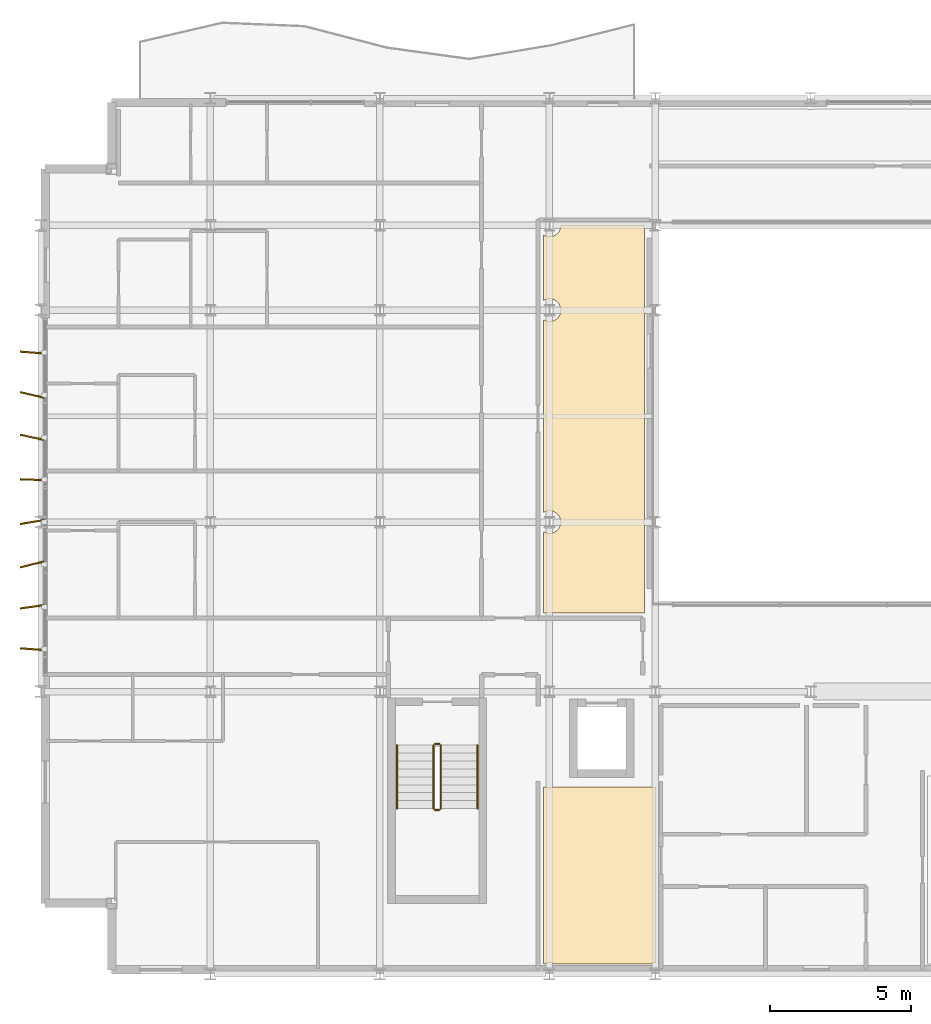
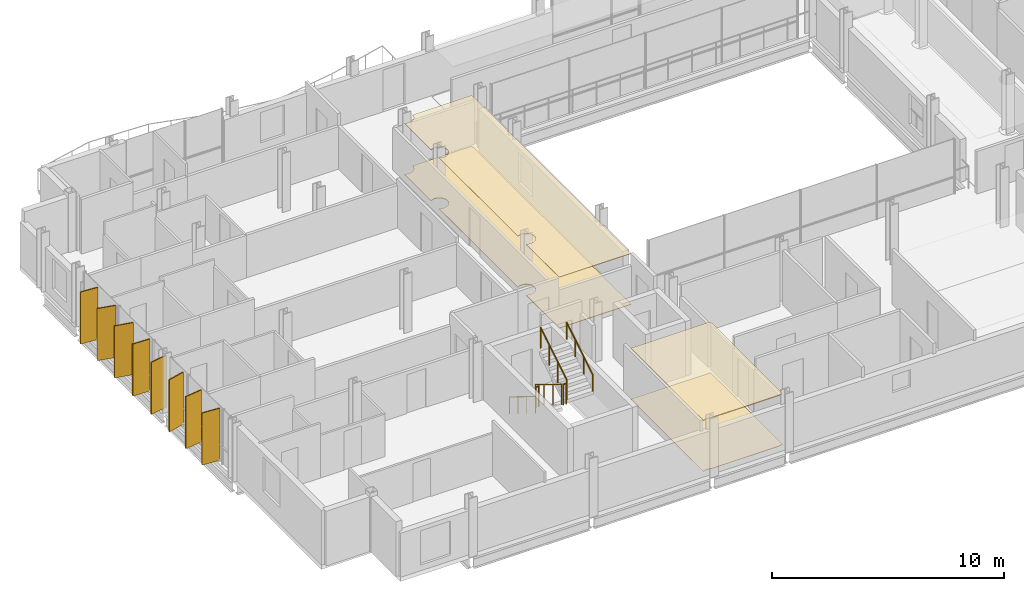
# One storey, part 37 of 40: 8 shading devices, 6 railings, 4 coverings.
"""IFC4 building model written with IfcOpenShell, lengths in metres."""

from ifc_helpers import new_model, si_unit, direction, frame, origin, origin_2d, place, context, subcontext, project, spatial, polyline, rectangle, circle, outline, extrude, material, layer, layer_set, type_object, element, save


model = new_model("IFC4")

# Units and contexts
model_context = context("Model", 3, precision=1e-05, world=origin(), true_north=direction((0.0, 1.0)))
body_context = subcontext(model_context, "Body", "Model", "MODEL_VIEW")
ifc_project = project(units=[si_unit("LENGTHUNIT", "METRE"), si_unit("AREAUNIT", "SQUARE_METRE"), si_unit("VOLUMEUNIT", "CUBIC_METRE"), si_unit("PLANEANGLEUNIT", "RADIAN"), si_unit("MASSUNIT", "GRAM", prefix="KILO")], contexts=[model_context])

# Site, building, storey
site_placement = place(None, origin())
site = spatial("IfcSite", under=ifc_project, at=site_placement, CompositionType="ELEMENT")
building_placement = place(site_placement, origin())
building = spatial("IfcBuilding", under=site, at=building_placement, Name="Brevholm Reach", CompositionType="ELEMENT")
storey_placement = place(building_placement, frame((0.0, 0.0, 148.0)))
storey = spatial("IfcBuildingStorey", under=building, at=storey_placement, Name="L44", CompositionType="ELEMENT", Elevation=148.0)

# Coverings
ifc_material_1 = material(Name="Perforated Mineral-Fibre Class-A Acoustic Suspended Ceiling", Category="gypsum")
ifc_layer_1 = layer(ifc_material_1, 0.044921875)
ifc_layer_set_1 = layer_set([ifc_layer_1], Name="Perforated Mineral-Fibre Class-A Acoustic Suspended Ceiling")
covering_type_1 = type_object("IfcCoveringType", Name="COV-CLG-AC", PredefinedType="CEILING", material=ifc_layer_set_1)
covering_1_placement = place(storey_placement, frame((0.0, 0.0, 2.6650390625)))
element("IfcCovering", 1, at=covering_1_placement, inside=storey, type_object=covering_type_1, Name="L44 Suspended Ceiling L44-23", PredefinedType="CEILING", context=body_context, shape_type="SweptSolid", body=[
    extrude(outline(polyline([(21.76611328125, 6.6201171875), (21.76611328125, 0.399169921875), (21.75, 0.39990234375), (21.710693359375, 0.398193359375), (21.672119140625, 0.392333984375), (21.6337890625, 0.3828125), (21.596923828125, 0.36962890625), (21.57666015625, 0.360107421875), (18.17333984375, 0.360107421875), (18.153076171875, 0.36962890625), (18.1162109375, 0.3828125), (18.077880859375, 0.392333984375), (18.039306640625, 0.398193359375), (18.0, 0.39990234375), (17.960693359375, 0.398193359375), (17.922119140625, 0.392333984375), (17.8837890625, 0.3828125), (17.846923828125, 0.36962890625), (17.82666015625, 0.360107421875), (17.783935546875, 0.360107421875), (17.783935546875, 6.6201171875), (21.76611328125, 6.6201171875)])), origin(), (0.0, 0.0, 1.0), 0.044921875),
])
ifc_material_2 = material(Name="Moisture-Resistant Skimmed Gypsum Plasterboard Ceiling", Category="gypsum")
ifc_layer_2 = layer(ifc_material_2, 0.030029296875)
ifc_layer_set_2 = layer_set([ifc_layer_2], Name="Moisture-Resistant Skimmed Gypsum Plasterboard Ceiling")
covering_type_2 = type_object("IfcCoveringType", Name="COV-CLG-GYP", PredefinedType="CEILING", material=ifc_layer_set_2)
covering_2_placement = place(storey_placement, frame((0.0, 0.0, 2.679931640625)))
element("IfcCovering", 2, at=covering_2_placement, inside=storey, type_object=covering_type_2, Name="L44 Suspended Ceiling L44-55", PredefinedType="CEILING", context=body_context, shape_type="SweptSolid", body=[
    extrude(outline(polyline([(21.3701171875, 23.623779296875), (21.3671875, 23.6162109375), (21.357666015625, 23.577880859375), (21.351806640625, 23.539306640625), (21.35009765625, 23.5), (21.351806640625, 23.460693359375), (21.357666015625, 23.422119140625), (21.3671875, 23.3837890625), (21.3701171875, 23.376220703125), (21.3701171875, 16.123779296875), (21.3671875, 16.1162109375), (21.357666015625, 16.077880859375), (21.351806640625, 16.039306640625), (21.35009765625, 16.0), (21.351806640625, 15.960693359375), (21.357666015625, 15.922119140625), (21.3671875, 15.8837890625), (21.3701171875, 15.876220703125), (21.3701171875, 12.783935546875), (17.783935546875, 12.783935546875), (17.783935546875, 15.663818359375), (17.811279296875, 15.647216796875), (17.846923828125, 15.63037109375), (17.8837890625, 15.6171875), (17.922119140625, 15.607666015625), (17.960693359375, 15.601806640625), (18.0, 15.60009765625), (18.039306640625, 15.601806640625), (18.077880859375, 15.607666015625), (18.1162109375, 15.6171875), (18.153076171875, 15.63037109375), (18.188720703125, 15.647216796875), (18.22216796875, 15.66748046875), (18.25390625, 15.69091796875), (18.28271484375, 15.71728515625), (18.30908203125, 15.74609375), (18.33251953125, 15.77783203125), (18.352783203125, 15.811279296875), (18.36962890625, 15.846923828125), (18.3828125, 15.8837890625), (18.392333984375, 15.922119140625), (18.398193359375, 15.960693359375), (18.39990234375, 16.0), (18.398193359375, 16.039306640625), (18.392333984375, 16.077880859375), (18.3828125, 16.1162109375), (18.36962890625, 16.153076171875), (18.352783203125, 16.188720703125), (18.33251953125, 16.22216796875), (18.30908203125, 16.25390625), (18.28271484375, 16.28271484375), (18.25390625, 16.30908203125), (18.22216796875, 16.33251953125), (18.188720703125, 16.352783203125), (18.153076171875, 16.36962890625), (18.1162109375, 16.3828125), (18.077880859375, 16.392333984375), (18.039306640625, 16.398193359375), (18.0, 16.39990234375), (17.960693359375, 16.398193359375), (17.922119140625, 16.392333984375), (17.8837890625, 16.3828125), (17.846923828125, 16.36962890625), (17.811279296875, 16.352783203125), (17.783935546875, 16.336181640625), (17.783935546875, 23.163818359375), (17.811279296875, 23.147216796875), (17.846923828125, 23.13037109375), (17.8837890625, 23.1171875), (17.922119140625, 23.107666015625), (17.960693359375, 23.101806640625), (18.0, 23.10009765625), (18.039306640625, 23.101806640625), (18.077880859375, 23.107666015625), (18.1162109375, 23.1171875), (18.153076171875, 23.13037109375), (18.188720703125, 23.147216796875), (18.22216796875, 23.16748046875), (18.25390625, 23.19091796875), (18.28271484375, 23.21728515625), (18.30908203125, 23.24609375), (18.33251953125, 23.27783203125), (18.352783203125, 23.311279296875), (18.36962890625, 23.346923828125), (18.3828125, 23.3837890625), (18.392333984375, 23.422119140625), (18.398193359375, 23.460693359375), (18.39990234375, 23.5), (18.398193359375, 23.539306640625), (18.392333984375, 23.577880859375), (18.3828125, 23.6162109375), (18.36962890625, 23.653076171875), (18.352783203125, 23.688720703125), (18.33251953125, 23.72216796875), (18.30908203125, 23.75390625), (18.28271484375, 23.78271484375), (18.25390625, 23.80908203125), (18.22216796875, 23.83251953125), (18.188720703125, 23.852783203125), (18.153076171875, 23.86962890625), (18.1162109375, 23.8828125), (18.077880859375, 23.892333984375), (18.039306640625, 23.898193359375), (18.0, 23.89990234375), (17.960693359375, 23.898193359375), (17.922119140625, 23.892333984375), (17.8837890625, 23.8828125), (17.846923828125, 23.86962890625), (17.811279296875, 23.852783203125), (17.783935546875, 23.836181640625), (17.783935546875, 26.163818359375), (17.811279296875, 26.147216796875), (17.846923828125, 26.13037109375), (17.8837890625, 26.1171875), (17.922119140625, 26.107666015625), (17.960693359375, 26.101806640625), (18.0, 26.10009765625), (18.039306640625, 26.101806640625), (18.077880859375, 26.107666015625), (18.1162109375, 26.1171875), (18.153076171875, 26.13037109375), (18.188720703125, 26.147216796875), (18.22216796875, 26.16748046875), (18.25390625, 26.19091796875), (18.28271484375, 26.21728515625), (18.30908203125, 26.24609375), (18.33251953125, 26.27783203125), (18.352783203125, 26.311279296875), (18.36962890625, 26.346923828125), (18.3828125, 26.3837890625), (18.392333984375, 26.422119140625), (18.398193359375, 26.460693359375), (18.39990234375, 26.5), (18.399169921875, 26.51611328125), (21.350830078125, 26.51611328125), (21.35009765625, 26.5), (21.351806640625, 26.460693359375), (21.357666015625, 26.422119140625), (21.3671875, 26.3837890625), (21.3701171875, 26.376220703125), (21.3701171875, 23.623779296875)])), origin(), (0.0, 0.0, 1.0), 0.030029296875),
])
ifc_material_3 = material(Name="Engineered European Oak Acoustic Plank Flooring", Category="timber")
ifc_layer_3 = layer(ifc_material_3, 0.02197265625)
ifc_layer_set_3 = layer_set([ifc_layer_3], Name="Engineered European Oak Acoustic Plank Flooring")
covering_type_3 = type_object("IfcCoveringType", Name="COV-FLR-OAK", PredefinedType="FLOORING", material=ifc_layer_set_3)
covering_3_placement = place(storey_placement, origin())
element("IfcCovering", 3, at=covering_3_placement, inside=storey, type_object=covering_type_3, Name="L44 Floor Finish L44-23", PredefinedType="FLOORING", context=body_context, shape_type="SweptSolid", body=[
    extrude(outline(polyline([(21.76611328125, 6.6201171875), (21.76611328125, 0.399169921875), (21.75, 0.39990234375), (21.710693359375, 0.398193359375), (21.672119140625, 0.392333984375), (21.6337890625, 0.3828125), (21.596923828125, 0.36962890625), (21.57666015625, 0.360107421875), (18.17333984375, 0.360107421875), (18.153076171875, 0.36962890625), (18.1162109375, 0.3828125), (18.077880859375, 0.392333984375), (18.039306640625, 0.398193359375), (18.0, 0.39990234375), (17.960693359375, 0.398193359375), (17.922119140625, 0.392333984375), (17.8837890625, 0.3828125), (17.846923828125, 0.36962890625), (17.82666015625, 0.360107421875), (17.783935546875, 0.360107421875), (17.783935546875, 6.6201171875), (21.76611328125, 6.6201171875)])), origin(), (0.0, 0.0, 1.0), 0.02197265625),
])
ifc_material_4 = material(Name="Honed Portland-Aggregate Resin Terrazzo Flooring", Category="concrete")
ifc_layer_4 = layer(ifc_material_4, 0.031982421875)
ifc_layer_set_4 = layer_set([ifc_layer_4], Name="Honed Portland-Aggregate Resin Terrazzo Flooring")
covering_type_4 = type_object("IfcCoveringType", Name="COV-FLR-TRZ", PredefinedType="FLOORING", material=ifc_layer_set_4)
covering_4_placement = place(storey_placement, origin())
element("IfcCovering", 4, at=covering_4_placement, inside=storey, type_object=covering_type_4, Name="L44 Floor Finish L44-55", PredefinedType="FLOORING", context=body_context, shape_type="SweptSolid", body=[
    extrude(outline(polyline([(21.3701171875, 23.623779296875), (21.3671875, 23.6162109375), (21.357666015625, 23.577880859375), (21.351806640625, 23.539306640625), (21.35009765625, 23.5), (21.351806640625, 23.460693359375), (21.357666015625, 23.422119140625), (21.3671875, 23.3837890625), (21.3701171875, 23.376220703125), (21.3701171875, 16.123779296875), (21.3671875, 16.1162109375), (21.357666015625, 16.077880859375), (21.351806640625, 16.039306640625), (21.35009765625, 16.0), (21.351806640625, 15.960693359375), (21.357666015625, 15.922119140625), (21.3671875, 15.8837890625), (21.3701171875, 15.876220703125), (21.3701171875, 12.783935546875), (17.783935546875, 12.783935546875), (17.783935546875, 15.663818359375), (17.811279296875, 15.647216796875), (17.846923828125, 15.63037109375), (17.8837890625, 15.6171875), (17.922119140625, 15.607666015625), (17.960693359375, 15.601806640625), (18.0, 15.60009765625), (18.039306640625, 15.601806640625), (18.077880859375, 15.607666015625), (18.1162109375, 15.6171875), (18.153076171875, 15.63037109375), (18.188720703125, 15.647216796875), (18.22216796875, 15.66748046875), (18.25390625, 15.69091796875), (18.28271484375, 15.71728515625), (18.30908203125, 15.74609375), (18.33251953125, 15.77783203125), (18.352783203125, 15.811279296875), (18.36962890625, 15.846923828125), (18.3828125, 15.8837890625), (18.392333984375, 15.922119140625), (18.398193359375, 15.960693359375), (18.39990234375, 16.0), (18.398193359375, 16.039306640625), (18.392333984375, 16.077880859375), (18.3828125, 16.1162109375), (18.36962890625, 16.153076171875), (18.352783203125, 16.188720703125), (18.33251953125, 16.22216796875), (18.30908203125, 16.25390625), (18.28271484375, 16.28271484375), (18.25390625, 16.30908203125), (18.22216796875, 16.33251953125), (18.188720703125, 16.352783203125), (18.153076171875, 16.36962890625), (18.1162109375, 16.3828125), (18.077880859375, 16.392333984375), (18.039306640625, 16.398193359375), (18.0, 16.39990234375), (17.960693359375, 16.398193359375), (17.922119140625, 16.392333984375), (17.8837890625, 16.3828125), (17.846923828125, 16.36962890625), (17.811279296875, 16.352783203125), (17.783935546875, 16.336181640625), (17.783935546875, 23.163818359375), (17.811279296875, 23.147216796875), (17.846923828125, 23.13037109375), (17.8837890625, 23.1171875), (17.922119140625, 23.107666015625), (17.960693359375, 23.101806640625), (18.0, 23.10009765625), (18.039306640625, 23.101806640625), (18.077880859375, 23.107666015625), (18.1162109375, 23.1171875), (18.153076171875, 23.13037109375), (18.188720703125, 23.147216796875), (18.22216796875, 23.16748046875), (18.25390625, 23.19091796875), (18.28271484375, 23.21728515625), (18.30908203125, 23.24609375), (18.33251953125, 23.27783203125), (18.352783203125, 23.311279296875), (18.36962890625, 23.346923828125), (18.3828125, 23.3837890625), (18.392333984375, 23.422119140625), (18.398193359375, 23.460693359375), (18.39990234375, 23.5), (18.398193359375, 23.539306640625), (18.392333984375, 23.577880859375), (18.3828125, 23.6162109375), (18.36962890625, 23.653076171875), (18.352783203125, 23.688720703125), (18.33251953125, 23.72216796875), (18.30908203125, 23.75390625), (18.28271484375, 23.78271484375), (18.25390625, 23.80908203125), (18.22216796875, 23.83251953125), (18.188720703125, 23.852783203125), (18.153076171875, 23.86962890625), (18.1162109375, 23.8828125), (18.077880859375, 23.892333984375), (18.039306640625, 23.898193359375), (18.0, 23.89990234375), (17.960693359375, 23.898193359375), (17.922119140625, 23.892333984375), (17.8837890625, 23.8828125), (17.846923828125, 23.86962890625), (17.811279296875, 23.852783203125), (17.783935546875, 23.836181640625), (17.783935546875, 26.163818359375), (17.811279296875, 26.147216796875), (17.846923828125, 26.13037109375), (17.8837890625, 26.1171875), (17.922119140625, 26.107666015625), (17.960693359375, 26.101806640625), (18.0, 26.10009765625), (18.039306640625, 26.101806640625), (18.077880859375, 26.107666015625), (18.1162109375, 26.1171875), (18.153076171875, 26.13037109375), (18.188720703125, 26.147216796875), (18.22216796875, 26.16748046875), (18.25390625, 26.19091796875), (18.28271484375, 26.21728515625), (18.30908203125, 26.24609375), (18.33251953125, 26.27783203125), (18.352783203125, 26.311279296875), (18.36962890625, 26.346923828125), (18.3828125, 26.3837890625), (18.392333984375, 26.422119140625), (18.398193359375, 26.460693359375), (18.39990234375, 26.5), (18.399169921875, 26.51611328125), (21.350830078125, 26.51611328125), (21.35009765625, 26.5), (21.351806640625, 26.460693359375), (21.357666015625, 26.422119140625), (21.3671875, 26.3837890625), (21.3701171875, 26.376220703125), (21.3701171875, 23.623779296875)])), origin(), (0.0, 0.0, 1.0), 0.031982421875),
])

# Railings
ifc_material_5 = material(Name="Brushed Stainless Steel EN 1.4401 Continuous Handrail", Category="steel")
railing_type_1 = type_object("IfcRailingType", Name="RAL-HND-950", PredefinedType="HANDRAIL", material=ifc_material_5)
railing_1_placement = place(storey_placement, frame((12.60009765625, 8.10009765625, 0.172119140625)))
element("IfcRailing", 5, at=railing_1_placement, inside=storey, type_object=railing_type_1, Name="L44 ST-1 stair handrail 1", PredefinedType="HANDRAIL", context=body_context, shape_type="SweptSolid", body=[
    extrude(circle(Radius=0.02392578125, at=origin_2d()), frame((0.0, 0.0, 0.8857421875), z_axis=(0.0, -0.851747552033, 0.523952390591), x_axis=(1.0, 0.0, 0.0)), (0.0, 0.0, 1.0), 2.6298828125),
    extrude(circle(Radius=0.02099609375, at=origin_2d()), origin(), (0.0, 0.0, 1.0), 0.86181640625),
    extrude(circle(Radius=0.02099609375, at=origin_2d()), frame((0.0, -0.74658203125, 0.459228515625)), (0.0, 0.0, 1.0), 0.86181640625),
    extrude(circle(Radius=0.02099609375, at=origin_2d()), frame((0.0, -1.493408203125, 0.918701171875)), (0.0, 0.0, 1.0), 0.86181640625),
    extrude(circle(Radius=0.02099609375, at=origin_2d()), frame((0.0, -2.239990234375, 1.3779296875)), (0.0, 0.0, 1.0), 0.86181640625),
])
railing_2_placement = place(storey_placement, frame((15.449951171875, 5.860107421875, 1.72216796875)))
element("IfcRailing", 6, at=railing_2_placement, inside=storey, type_object=railing_type_1, Name="L44 ST-1 stair handrail 2", PredefinedType="HANDRAIL", context=body_context, shape_type="SweptSolid", body=[
    extrude(circle(Radius=0.02392578125, at=origin_2d()), frame((0.0, 0.0, 0.8857421875), z_axis=(0.0, 0.851747552033, 0.523952390591), x_axis=(-1.0, 0.0, 0.0)), (0.0, 0.0, 1.0), 2.6298828125),
    extrude(circle(Radius=0.02099609375, at=origin_2d()), origin(), (0.0, 0.0, 1.0), 0.86181640625),
    extrude(circle(Radius=0.02099609375, at=origin_2d()), frame((0.0, 0.74658203125, 0.459228515625)), (0.0, 0.0, 1.0), 0.86181640625),
    extrude(circle(Radius=0.02099609375, at=origin_2d()), frame((0.0, 1.493408203125, 0.918701171875)), (0.0, 0.0, 1.0), 0.86181640625),
    extrude(circle(Radius=0.02099609375, at=origin_2d()), frame((0.0, 2.239990234375, 1.3779296875)), (0.0, 0.0, 1.0), 0.86181640625),
])
ifc_material_6 = material(Name="Painted Tubular Galvanised Steel S275JR Stair Guard", Category="steel")
railing_type_2 = type_object("IfcRailingType", Name="RAL-STG-1120", PredefinedType="BALUSTRADE", material=ifc_material_6)
railing_3_placement = place(storey_placement, frame((13.89990234375, 8.10009765625, 0.172119140625)))
element("IfcRailing", 7, at=railing_3_placement, inside=storey, type_object=railing_type_2, Name="L44 ST-1 stair guard 1", PredefinedType="BALUSTRADE", context=body_context, shape_type="SweptSolid", body=[
    extrude(circle(Radius=0.02392578125, at=origin_2d()), frame((0.0, 0.0, 1.076171875), z_axis=(0.0, -0.851747552033, 0.523952390591), x_axis=(1.0, 0.0, 0.0)), (0.0, 0.0, 1.0), 2.6298828125),
    extrude(circle(Radius=0.02099609375, at=origin_2d()), origin(), (0.0, 0.0, 1.0), 1.052001953125),
    extrude(circle(Radius=0.02099609375, at=origin_2d()), frame((0.0, -0.74658203125, 0.459228515625)), (0.0, 0.0, 1.0), 1.052001953125),
    extrude(circle(Radius=0.02099609375, at=origin_2d()), frame((0.0, -1.493408203125, 0.918701171875)), (0.0, 0.0, 1.0), 1.052001953125),
    extrude(circle(Radius=0.02099609375, at=origin_2d()), frame((0.0, -2.239990234375, 1.3779296875)), (0.0, 0.0, 1.0), 1.052001953125),
])
railing_4_placement = place(storey_placement, frame((13.949951171875, 5.81005859375, 1.550048828125)))
element("IfcRailing", 8, at=railing_4_placement, inside=storey, type_object=railing_type_2, Name="L44 ST-1 stair guard 2", PredefinedType="BALUSTRADE", context=body_context, shape_type="SweptSolid", body=[
    extrude(circle(Radius=0.02392578125, at=origin_2d()), frame((0.0, 0.0, 1.076171875), z_axis=(1.0, 0.0, 0.0), x_axis=(0.0, 1.0, 0.0)), (0.0, 0.0, 1.0), 0.150146484375),
    extrude(circle(Radius=0.02099609375, at=origin_2d()), origin(), (0.0, 0.0, 1.0), 1.052001953125),
    extrude(circle(Radius=0.02099609375, at=origin_2d()), frame((0.150146484375, 0.0, 0.0)), (0.0, 0.0, 1.0), 1.052001953125),
])
railing_5_placement = place(storey_placement, frame((14.14990234375, 5.860107421875, 1.72216796875)))
element("IfcRailing", 9, at=railing_5_placement, inside=storey, type_object=railing_type_2, Name="L44 ST-1 stair guard 3", PredefinedType="BALUSTRADE", context=body_context, shape_type="SweptSolid", body=[
    extrude(circle(Radius=0.02392578125, at=origin_2d()), frame((0.0, 0.0, 1.076171875), z_axis=(0.0, 0.851747552033, 0.523952390591), x_axis=(-1.0, 0.0, 0.0)), (0.0, 0.0, 1.0), 2.6298828125),
    extrude(circle(Radius=0.02099609375, at=origin_2d()), origin(), (0.0, 0.0, 1.0), 1.052001953125),
    extrude(circle(Radius=0.02099609375, at=origin_2d()), frame((0.0, 0.74658203125, 0.459228515625)), (0.0, 0.0, 1.0), 1.052001953125),
    extrude(circle(Radius=0.02099609375, at=origin_2d()), frame((0.0, 1.493408203125, 0.918701171875)), (0.0, 0.0, 1.0), 1.052001953125),
    extrude(circle(Radius=0.02099609375, at=origin_2d()), frame((0.0, 2.239990234375, 1.3779296875)), (0.0, 0.0, 1.0), 1.052001953125),
])
railing_6_placement = place(storey_placement, frame((13.949951171875, 8.14990234375, 0.0)))
element("IfcRailing", 10, at=railing_6_placement, inside=storey, type_object=railing_type_2, Name="L44 ST-1 stair guard 4", PredefinedType="BALUSTRADE", context=body_context, shape_type="SweptSolid", body=[
    extrude(circle(Radius=0.02392578125, at=origin_2d()), frame((0.0, 0.0, 1.076171875), z_axis=(1.0, 0.0, 0.0), x_axis=(0.0, 1.0, 0.0)), (0.0, 0.0, 1.0), 0.150146484375),
    extrude(circle(Radius=0.02099609375, at=origin_2d()), origin(), (0.0, 0.0, 1.0), 1.052001953125),
    extrude(circle(Radius=0.02099609375, at=origin_2d()), frame((0.150146484375, 0.0, 0.0)), (0.0, 0.0, 1.0), 1.052001953125),
])

# Shading devices
ifc_material_7 = material(Name="Perforated Champagne-Bronze Anodised Aluminium", Category="aluminium")
ifc_layer_5 = layer(ifc_material_7, 0.054931640625)
ifc_layer_set_5 = layer_set([ifc_layer_5], Name="Perforated Champagne-Bronze Anodised Aluminium")
shading_device_type = type_object("IfcShadingDeviceType", Name="SHD-FIN-850", PredefinedType="USERDEFINED", material=ifc_layer_set_5)
for number, where, z_axis, x_axis, name in (
    (11, (-0.31494140625, 11.5, 0.06982421875), (0.0, 0.0, 1.0), (-0.997257940254, 0.074004057994, 0.0), "L44 Perforated Solar Screen Fin 1"),
    (12, (-0.31494140625, 13.0, 0.06982421875), (0.0, 0.0, 1.0), (-0.990783336772, -0.135456190608, 0.0), "L44 Perforated Solar Screen Fin 2"),
    (13, (-0.31494140625, 14.5, 0.06982421875), (0.0, 0.0, 1.0), (-0.970502265767, -0.24109199933, 0.0), "L44 Perforated Solar Screen Fin 3"),
    (14, (-0.31494140625, 16.0, 0.06982421875), (0.0, 0.0, 1.0), (-0.985961087481, -0.166975249584, 0.0), "L44 Perforated Solar Screen Fin 4"),
    (15, (-0.31494140625, 17.5, 0.06982421875), (0.0, 0.0, 1.0), (-0.999411959443, 0.034288997113, 0.0), "L44 Perforated Solar Screen Fin 5"),
    (16, (-0.31494140625, 19.0, 0.06982421875), (0.0, 0.0, 1.0), (-0.977918398633, 0.208987094376, 0.0), "L44 Perforated Solar Screen Fin 6"),
    (17, (-0.31494140625, 20.5, 0.06982421875), (0.0, 0.0, 1.0), (-0.974066872468, 0.226260310174, 0.0), "L44 Perforated Solar Screen Fin 7"),
    (18, (-0.31494140625, 22.0, 0.06982421875), (0.0, 0.0, 1.0), (-0.997257940254, 0.074004057994, 0.0), "L44 Perforated Solar Screen Fin 8"),
):
    element("IfcShadingDevice", number, at=place(storey_placement, frame(where, z_axis=z_axis, x_axis=x_axis)), inside=storey, type_object=shading_device_type, Name=name, ObjectType="SCREEN", PredefinedType="USERDEFINED", context=body_context, shape_type="SweptSolid", body=[
        extrude(rectangle(XDim=0.85009765625, YDim=0.054931640625, at=origin_2d()), origin(), (0.0, 0.0, 1.0), 2.739990234375),
    ])

save(model, "model.ifc")
